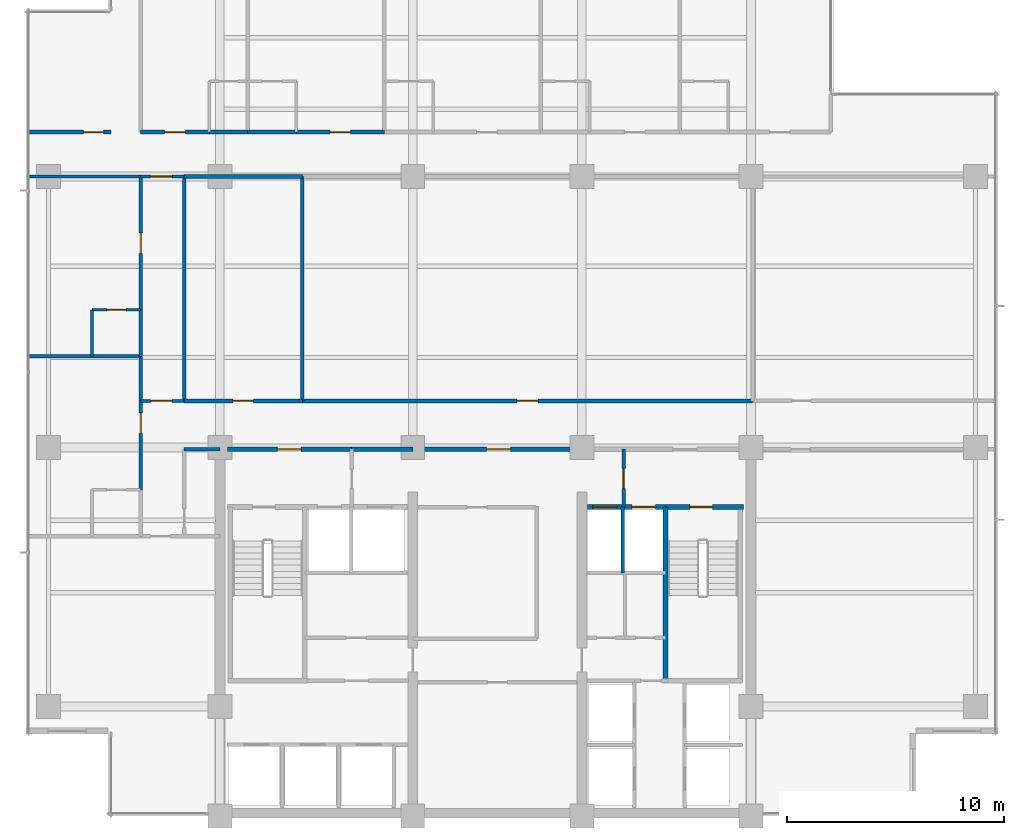
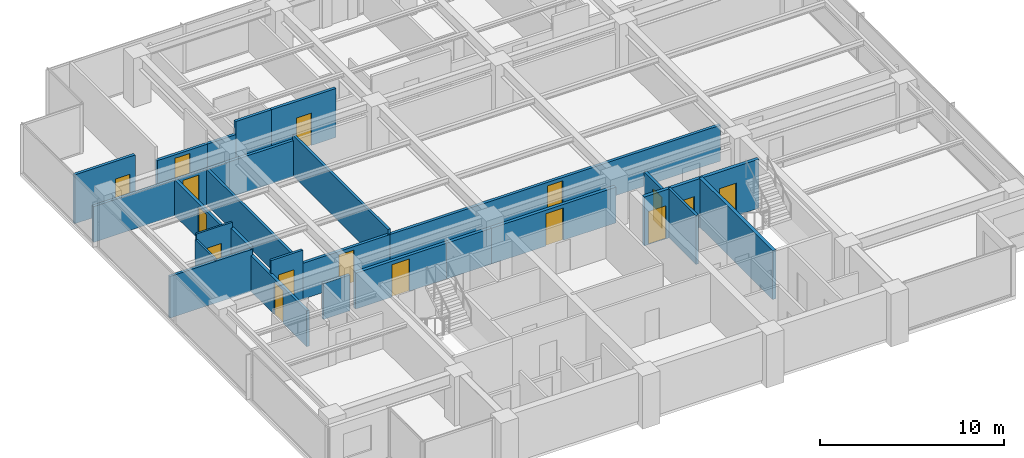
# One storey, part 8 of 15: 27 walls, 16 doors, 16 openings.
"""IFC4 building model written with IfcOpenShell, lengths in metres."""

from ifc_helpers import new_model, si_unit, direction, frame, frame_2d, origin, place, context, subcontext, project, spatial, rectangle, extrude, material, layer, layer_set, type_object, element, fill, save


model = new_model("IFC4")

# Units and contexts
model_context = context("Model", 3, precision=1e-05, world=origin(), true_north=direction((0.0, 1.0)))
body_context = subcontext(model_context, "Body", "Model", "MODEL_VIEW")
ifc_project = project(units=[si_unit("LENGTHUNIT", "METRE"), si_unit("AREAUNIT", "SQUARE_METRE"), si_unit("VOLUMEUNIT", "CUBIC_METRE"), si_unit("PLANEANGLEUNIT", "RADIAN"), si_unit("MASSUNIT", "GRAM", prefix="KILO")], contexts=[model_context])

# Site, building, storey
site_placement = place(None, origin())
site = spatial("IfcSite", under=ifc_project, at=site_placement, CompositionType="ELEMENT")
building_placement = place(site_placement, origin())
building = spatial("IfcBuilding", under=site, at=building_placement, Name="Qalmaran Belvedere Hotel", CompositionType="ELEMENT")
storey_placement = place(building_placement, frame((0.0, 0.0, 170.10009765625)))
storey = spatial("IfcBuildingStorey", under=building, at=storey_placement, Name="L43", CompositionType="ELEMENT", Elevation=170.10009765625)

# Wall, opening, door
ifc_material_1 = material(Name="Moisture-Resistant Gypsum")
ifc_layer_1 = layer(ifc_material_1, 0.1201171875, Name="Moisture-Resistant Gypsum")
ifc_layer_set_1 = layer_set([ifc_layer_1], Name="Moisture-Resistant Gypsum")
wall_type_1 = type_object("IfcWallType", Name="WL-INT-120-BATH", PredefinedType="PARTITIONING", material=ifc_layer_set_1)
wall_1_placement = place(storey_placement, frame((14.39990234375, 26.85009765625, 0.0), z_axis=(0.0, 0.0, 1.0), x_axis=(1.0, 0.0, 0.0)))
wall_1 = element("IfcWall", 1, at=wall_1_placement, inside=storey, type_object=wall_type_1, Name="L43 Partition WL-L43-WBN01", PredefinedType="PARTITIONING", context=body_context, shape_type="SweptSolid", body=[
    extrude(rectangle(XDim=2.25, YDim=0.1201171875, at=frame_2d((1.125, 0.0))), origin(), (0.0, 0.0, 1.0), 3.25),
])
opening_1_placement = place(wall_1_placement, frame((1.56494140625, 0.0, 0.0), z_axis=(0.0, 0.0, 1.0), x_axis=(-1.0, 0.0, 0.0)))
opening_1 = element("IfcOpeningElement", 2, at=opening_1_placement, cuts=wall_1, Name="Opening D-BATH", PredefinedType="OPENING", context=body_context, shape_type="SweptSolid", body=[
    extrude(rectangle(XDim=0.8798828125, YDim=2.080078125, at=frame_2d((0.43994140625, 1.0400390625))), frame((0.0, 0.070068359375, 0.0), z_axis=(0.0, -1.0, 0.0), x_axis=(1.0, 0.0, 0.0)), (0.0, 0.0, 1.0), 0.14013671875),
])
ifc_material_2 = material(Name="Engineered Oak Veneer")
door_type_1 = type_object("IfcDoorType", Name="DR-INT-BATH-880X2080", OperationType="NOTDEFINED", PredefinedType="DOOR", material=ifc_material_2)
door_1_placement = place(opening_1_placement, origin())
door_1 = element("IfcDoor", 3, at=door_1_placement, inside=storey, type_object=door_type_1, Name="L43 W Ensuite Door 02", OperationType="SINGLE_SWING_RIGHT", OverallHeight=2.080078125, OverallWidth=0.8798828125, PredefinedType="DOOR", context=body_context, shape_type="SweptSolid", body=[
    extrude(rectangle(XDim=0.8798828125, YDim=2.080078125, at=frame_2d((0.43994140625, 1.0400390625))), frame((0.0, 0.02490234375, 0.0), z_axis=(0.0, -1.0, 0.0), x_axis=(1.0, 0.0, 0.0)), (0.0, 0.0, 1.0), 0.050048828125),
])
fill(opening_1, door_1)

# Walls
wall_2_placement = place(storey_placement, frame((14.39990234375, 24.699951171875, 0.0), z_axis=(0.0, 0.0, 1.0), x_axis=(0.0, 1.0, 0.0)))
element("IfcWall", 4, at=wall_2_placement, inside=storey, type_object=wall_type_1, Name="L43 Partition WL-L43-WBS01", PredefinedType="PARTITIONING", context=body_context, shape_type="SweptSolid", body=[
    extrude(rectangle(XDim=2.150146484375, YDim=0.1201171875, at=frame_2d((1.0751953125, 0.0))), origin(), (0.0, 0.0, 1.0), 2.880859375),
])
ifc_material_3 = material(Name="Gypsum Stud Partition")
ifc_layer_2 = layer(ifc_material_3, 0.14990234375, Name="Gypsum Stud Partition")
ifc_layer_set_2 = layer_set([ifc_layer_2], Name="Gypsum Stud Partition")
wall_type_2 = type_object("IfcWallType", Name="WL-INT-150-EI120", PredefinedType="PARTITIONING", material=ifc_layer_set_2)
wall_3_placement = place(storey_placement, frame((38.8798828125, 14.719970703125, 0.0), z_axis=(0.0, 0.0, 1.0), x_axis=(0.0, 1.0, 0.0)))
element("IfcWall", 5, at=wall_3_placement, inside=storey, type_object=wall_type_2, Name="L43 Partition WL-FF2M-L43", PredefinedType="PARTITIONING", context=body_context, shape_type="SweptSolid", body=[
    extrude(rectangle(XDim=3.0400390625, YDim=0.14990234375, at=frame_2d((1.52001953125, 0.0))), origin(), (0.0, 0.0, 1.0), 3.25),
])

# Wall, opening, door
ifc_layer_3 = layer(ifc_material_3, 0.14990234375, Name="Gypsum Stud Partition")
ifc_layer_set_3 = layer_set([ifc_layer_3], Name="Gypsum Stud Partition")
wall_type_3 = type_object("IfcWallType", Name="WL-INT-150-EI60", PredefinedType="PARTITIONING", material=ifc_layer_set_3)
wall_4_placement = place(storey_placement, frame((16.64990234375, 22.64990234375, 0.0), z_axis=(0.0, 0.0, 1.0), x_axis=(1.0, 0.0, 0.0)))
wall_4 = element("IfcWall", 6, at=wall_4_placement, inside=storey, type_object=wall_type_3, Name="L43 Partition WL-L43-XCW1", PredefinedType="PARTITIONING", context=body_context, shape_type="SweptSolid", body=[
    extrude(rectangle(XDim=2.0, YDim=0.14990234375, at=frame_2d((1.0, 0.0))), origin(), (0.0, 0.0, 1.0), 3.25),
])
opening_2_placement = place(wall_4_placement, frame((0.449951171875, 0.0, 0.0)))
opening_2 = element("IfcOpeningElement", 7, at=opening_2_placement, cuts=wall_4, Name="Opening FD90B", PredefinedType="OPENING", context=body_context, shape_type="SweptSolid", body=[
    extrude(rectangle(XDim=1.0, YDim=2.14990234375, at=frame_2d((0.5, 1.074951171875))), frame((0.0, 0.0849609375, 0.0), z_axis=(0.0, -1.0, 0.0), x_axis=(1.0, 0.0, 0.0)), (0.0, 0.0, 1.0), 0.169921875),
])
ifc_material_4 = material(Name="Steel S355JR", Category="steel")
door_type_2 = type_object("IfcDoorType", Name="DR-FD90B-1000X2150", OperationType="NOTDEFINED", PredefinedType="DOOR", material=ifc_material_4)
door_2_placement = place(opening_2_placement, origin())
door_2 = element("IfcDoor", 8, at=door_2_placement, inside=storey, type_object=door_type_2, Name="L43 West Corridor Smoke Door S", OperationType="SINGLE_SWING_RIGHT", OverallHeight=2.14990234375, OverallWidth=1.0, PredefinedType="DOOR", context=body_context, shape_type="SweptSolid", body=[
    extrude(rectangle(XDim=1.0, YDim=2.14990234375, at=frame_2d((0.5, 1.074951171875))), frame((0.0, 0.02490234375, 0.0), z_axis=(0.0, -1.0, 0.0), x_axis=(1.0, 0.0, 0.0)), (0.0, 0.0, 1.0), 0.050048828125),
])
fill(opening_2, door_2)

wall_5_placement = place(storey_placement, frame((16.64990234375, 33.0, 0.0), z_axis=(0.0, 0.0, 1.0), x_axis=(1.0, 0.0, 0.0)))
wall_5 = element("IfcWall", 9, at=wall_5_placement, inside=storey, type_object=wall_type_3, Name="L43 Partition WL-L43-XCW2", PredefinedType="PARTITIONING", context=body_context, shape_type="SweptSolid", body=[
    extrude(rectangle(XDim=2.0, YDim=0.14990234375, at=frame_2d((1.0, 0.0))), origin(), (0.0, 0.0, 1.0), 2.3798828125),
])
opening_3_placement = place(wall_5_placement, frame((0.449951171875, 0.0, 0.0)))
opening_3 = element("IfcOpeningElement", 10, at=opening_3_placement, cuts=wall_5, Name="Opening FD90B", PredefinedType="OPENING", context=body_context, shape_type="SweptSolid", body=[
    extrude(rectangle(XDim=1.0, YDim=2.14990234375, at=frame_2d((0.5, 1.074951171875))), frame((0.0, 0.0849609375, 0.0), z_axis=(0.0, -1.0, 0.0), x_axis=(1.0, 0.0, 0.0)), (0.0, 0.0, 1.0), 0.169921875),
])
door_3_placement = place(opening_3_placement, origin())
door_3 = element("IfcDoor", 11, at=door_3_placement, inside=storey, type_object=door_type_2, Name="L43 West Corridor Smoke Door N", OperationType="SINGLE_SWING_LEFT", OverallHeight=2.14990234375, OverallWidth=1.0, PredefinedType="DOOR", context=body_context, shape_type="SweptSolid", body=[
    extrude(rectangle(XDim=1.0, YDim=2.14990234375, at=frame_2d((0.5, 1.074951171875))), frame((0.0, 0.02490234375, 0.0), z_axis=(0.0, -1.0, 0.0), x_axis=(1.0, 0.0, 0.0)), (0.0, 0.0, 1.0), 0.050048828125),
])
fill(opening_3, door_3)

ifc_layer_4 = layer(ifc_material_3, 0.159912109375, Name="Gypsum Stud Partition")
ifc_layer_set_4 = layer_set([ifc_layer_4], Name="Gypsum Stud Partition")
wall_type_4 = type_object("IfcWallType", Name="WL-INT-160-EI120", PredefinedType="PARTITIONING", material=ifc_layer_set_4)
wall_6_placement = place(storey_placement, frame((38.919921875, 17.760009765625, 0.0), z_axis=(0.0, 0.0, 1.0), x_axis=(0.0, 1.0, 0.0)))
wall_6 = element("IfcWall", 12, at=wall_6_placement, inside=storey, type_object=wall_type_4, Name="L43 Partition WL-FFSV2-L43", PredefinedType="PARTITIONING", context=body_context, shape_type="SweptSolid", body=[
    extrude(rectangle(XDim=2.659912109375, YDim=0.159912109375, at=frame_2d((1.330078125, 0.0))), origin(), (0.0, 0.0, 1.0), 2.69189453125),
])
opening_4_placement = place(wall_6_placement, frame((1.77001953125, 0.0, 0.0), z_axis=(0.0, 0.0, 1.0), x_axis=(-1.0, 0.0, 0.0)))
opening_4 = element("IfcOpeningElement", 13, at=opening_4_placement, cuts=wall_6, Name="Opening FD60S1", PredefinedType="OPENING", context=body_context, shape_type="SweptSolid", body=[
    extrude(rectangle(XDim=0.919921875, YDim=2.080078125, at=frame_2d((0.4599609375, 1.0400390625))), frame((0.0, 0.08984375, 0.0), z_axis=(0.0, -1.0, 0.0), x_axis=(1.0, 0.0, 0.0)), (0.0, 0.0, 1.0), 0.179931640625),
])
door_type_3 = type_object("IfcDoorType", Name="DR-FD60S-920X2080", OperationType="NOTDEFINED", PredefinedType="DOOR", material=ifc_material_2)
door_4_placement = place(opening_4_placement, origin())
door_4 = element("IfcDoor", 14, at=door_4_placement, inside=storey, type_object=door_type_3, Name="L43 Service Lobby East Door", OperationType="SINGLE_SWING_LEFT", OverallHeight=2.080078125, OverallWidth=0.919921875, PredefinedType="DOOR", context=body_context, shape_type="SweptSolid", body=[
    extrude(rectangle(XDim=0.919921875, YDim=2.080078125, at=frame_2d((0.4599609375, 1.0400390625))), frame((0.0, 0.02490234375, 0.0), z_axis=(0.0, -1.0, 0.0), x_axis=(1.0, 0.0, 0.0)), (0.0, 0.0, 1.0), 0.050048828125),
])
fill(opening_4, door_4)

# Walls
ifc_layer_5 = layer(ifc_material_3, 0.159912109375, Name="Gypsum Stud Partition")
ifc_layer_set_5 = layer_set([ifc_layer_5], Name="Gypsum Stud Partition")
wall_type_5 = type_object("IfcWallType", Name="WL-INT-160-EI60", PredefinedType="PARTITIONING", material=ifc_layer_set_5)
wall_7_placement = place(storey_placement, frame((18.64990234375, 20.419921875, 0.0), z_axis=(0.0, 0.0, 1.0), x_axis=(1.0, 0.0, 0.0)))
element("IfcWall", 15, at=wall_7_placement, inside=storey, type_object=wall_type_5, Name="L43 Partition WL-L43-WCLN", PredefinedType="PARTITIONING", context=body_context, shape_type="SweptSolid", body=[
    extrude(rectangle(XDim=1.650146484375, YDim=0.159912109375, at=frame_2d((0.8251953125, 0.0))), origin(), (0.0, 0.0, 1.0), 2.3798828125),
])
wall_8_placement = place(storey_placement, frame((18.64990234375, 22.64990234375, 0.0), z_axis=(0.0, 0.0, 1.0), x_axis=(0.0, 1.0, 0.0)))
element("IfcWall", 16, at=wall_8_placement, inside=storey, type_object=wall_type_5, Name="L43 Partition WL-L43-MIDVL", PredefinedType="PARTITIONING", context=body_context, shape_type="SweptSolid", body=[
    extrude(rectangle(XDim=10.35009765625, YDim=0.159912109375, at=frame_2d((5.175048828125, 0.0))), origin(), (0.0, 0.0, 1.0), 2.3798828125),
])
wall_9_placement = place(storey_placement, frame((24.10009765625, 22.64990234375, 0.0), z_axis=(0.0, 0.0, 1.0), x_axis=(0.0, 1.0, 0.0)))
element("IfcWall", 17, at=wall_9_placement, inside=storey, type_object=wall_type_5, Name="L43 Partition WL-L43-MIDVR1", PredefinedType="PARTITIONING", context=body_context, shape_type="SweptSolid", body=[
    extrude(rectangle(XDim=10.35009765625, YDim=0.159912109375, at=frame_2d((5.175048828125, 0.0))), origin(), (0.0, 0.0, 1.0), 2.69189453125),
])
wall_10_placement = place(storey_placement, frame((11.469970703125, 24.699951171875, 0.0), z_axis=(0.0, 0.0, 1.0), x_axis=(1.0, 0.0, 0.0)))
element("IfcWall", 18, at=wall_10_placement, inside=storey, type_object=wall_type_5, Name="L43 Partition WL-L43-WU00", PredefinedType="PARTITIONING", context=body_context, shape_type="SweptSolid", body=[
    extrude(rectangle(XDim=5.179931640625, YDim=0.159912109375, at=frame_2d((2.58984375, 0.0))), origin(), (0.0, 0.0, 1.0), 2.77197265625),
])
wall_11_placement = place(storey_placement, frame((11.469970703125, 33.0, 0.0), z_axis=(0.0, 0.0, 1.0), x_axis=(1.0, 0.0, 0.0)))
element("IfcWall", 19, at=wall_11_placement, inside=storey, type_object=wall_type_5, Name="L43 Partition WL-L43-WU01", PredefinedType="PARTITIONING", context=body_context, shape_type="SweptSolid", body=[
    extrude(rectangle(XDim=5.179931640625, YDim=0.159912109375, at=frame_2d((2.58984375, 0.0))), origin(), (0.0, 0.0, 1.0), 2.3798828125),
])

# Wall, opening, door
ifc_layer_6 = layer(ifc_material_3, 0.179931640625, Name="Gypsum Stud Partition")
ifc_layer_set_6 = layer_set([ifc_layer_6], Name="Gypsum Stud Partition")
wall_type_6 = type_object("IfcWallType", Name="WL-INT-180-EI60", PredefinedType="PARTITIONING", material=ifc_layer_set_6)
wall_12_placement = place(storey_placement, frame((18.64990234375, 22.64990234375, 0.0), z_axis=(0.0, 0.0, 1.0), x_axis=(1.0, 0.0, 0.0)))
wall_12 = element("IfcWall", 20, at=wall_12_placement, inside=storey, type_object=wall_type_6, Name="L43 Partition WL-L43-MIDD1", PredefinedType="PARTITIONING", context=body_context, shape_type="SweptSolid", body=[
    extrude(rectangle(XDim=5.4501953125, YDim=0.179931640625, at=frame_2d((2.72509765625, 0.0))), origin(), (0.0, 0.0, 1.0), 2.3798828125),
])
opening_5_placement = place(wall_12_placement, frame((2.25, 0.0, 0.0)))
opening_5 = element("IfcOpeningElement", 21, at=opening_5_placement, cuts=wall_12, Name="Opening FD60", PredefinedType="OPENING", context=body_context, shape_type="SweptSolid", body=[
    extrude(rectangle(XDim=0.949951171875, YDim=2.14990234375, at=frame_2d((0.47509765625, 1.074951171875))), frame((0.0, 0.10009765625, 0.0), z_axis=(0.0, -1.0, 0.0), x_axis=(1.0, 0.0, 0.0)), (0.0, 0.0, 1.0), 0.199951171875),
])
door_type_4 = type_object("IfcDoorType", Name="DR-FD60-950X2150", OperationType="NOTDEFINED", PredefinedType="DOOR", material=ifc_material_2)
door_5_placement = place(opening_5_placement, origin())
door_5 = element("IfcDoor", 22, at=door_5_placement, inside=storey, type_object=door_type_4, Name="L43 Housekeeping and Linen Room Door", OperationType="SINGLE_SWING_RIGHT", OverallHeight=2.14990234375, OverallWidth=0.949951171875, PredefinedType="DOOR", context=body_context, shape_type="SweptSolid", body=[
    extrude(rectangle(XDim=0.949951171875, YDim=2.14990234375, at=frame_2d((0.47509765625, 1.074951171875))), frame((0.0, 0.02490234375, 0.0), z_axis=(0.0, -1.0, 0.0), x_axis=(1.0, 0.0, 0.0)), (0.0, 0.0, 1.0), 0.050048828125),
])
fill(opening_5, door_5)

# Wall
wall_13_placement = place(storey_placement, frame((18.64990234375, 33.0, 0.0), z_axis=(0.0, 0.0, 1.0), x_axis=(1.0, 0.0, 0.0)))
element("IfcWall", 23, at=wall_13_placement, inside=storey, type_object=wall_type_6, Name="L43 Partition WL-L43-MIDO1", PredefinedType="PARTITIONING", context=body_context, shape_type="SweptSolid", body=[
    extrude(rectangle(XDim=5.4501953125, YDim=0.179931640625, at=frame_2d((2.72509765625, 0.0))), origin(), (0.0, 0.0, 1.0), 2.3798828125),
])

# Wall, opening, door
wall_14_placement = place(storey_placement, frame((24.10009765625, 22.64990234375, 0.0), z_axis=(0.0, 0.0, 1.0), x_axis=(1.0, 0.0, 0.0)))
wall_14 = element("IfcWall", 24, at=wall_14_placement, inside=storey, type_object=wall_type_6, Name="L43 Partition WL-L43-MIDD2", PredefinedType="PARTITIONING", context=body_context, shape_type="SweptSolid", body=[
    extrude(rectangle(XDim=20.77978515625, YDim=0.179931640625, at=frame_2d((10.389892578125, 0.0))), origin(), (0.0, 0.0, 1.0), 2.3798828125),
])
opening_6_placement = place(wall_14_placement, frame((9.9150390625, 0.0, 0.0)))
opening_6 = element("IfcOpeningElement", 25, at=opening_6_placement, cuts=wall_14, Name="Opening FD60", PredefinedType="OPENING", context=body_context, shape_type="SweptSolid", body=[
    extrude(rectangle(XDim=0.949951171875, YDim=2.14990234375, at=frame_2d((0.47509765625, 1.074951171875))), frame((0.0, 0.10009765625, 0.0), z_axis=(0.0, -1.0, 0.0), x_axis=(1.0, 0.0, 0.0)), (0.0, 0.0, 1.0), 0.199951171875),
])
door_6_placement = place(opening_6_placement, origin())
door_6 = element("IfcDoor", 26, at=door_6_placement, inside=storey, type_object=door_type_4, Name="L43 Diplomatic Lounge Door", OperationType="SINGLE_SWING_LEFT", OverallHeight=2.14990234375, OverallWidth=0.949951171875, PredefinedType="DOOR", context=body_context, shape_type="SweptSolid", body=[
    extrude(rectangle(XDim=0.949951171875, YDim=2.14990234375, at=frame_2d((0.47509765625, 1.074951171875))), frame((0.0, 0.02490234375, 0.0), z_axis=(0.0, -1.0, 0.0), x_axis=(1.0, 0.0, 0.0)), (0.0, 0.0, 1.0), 0.050048828125),
])
fill(opening_6, door_6)

# Wall
wall_15_placement = place(storey_placement, frame((19.809814453125, 35.050048828125, 0.0), z_axis=(0.0, 0.0, 1.0), x_axis=(1.0, 0.0, 0.0)))
element("IfcWall", 27, at=wall_15_placement, inside=storey, type_object=wall_type_6, Name="L43 Partition WL-L43-NBC00", PredefinedType="PARTITIONING", context=body_context, shape_type="SweptSolid", body=[
    extrude(rectangle(XDim=1.77001953125, YDim=0.179931640625, at=frame_2d((0.885009765625, 0.0))), origin(), (0.0, 0.0, 1.0), 2.3798828125),
])

# Wall, opening, door
wall_16_placement = place(storey_placement, frame((16.64990234375, 35.050048828125, 0.0), z_axis=(0.0, 0.0, 1.0), x_axis=(1.0, 0.0, 0.0)))
wall_16 = element("IfcWall", 28, at=wall_16_placement, inside=storey, type_object=wall_type_6, Name="L43 Partition WL-L43-NEC00", PredefinedType="PARTITIONING", context=body_context, shape_type="SweptSolid", body=[
    extrude(rectangle(XDim=3.159912109375, YDim=0.179931640625, at=frame_2d((1.580078125, 0.0))), origin(), (0.0, 0.0, 1.0), 2.3798828125),
])
opening_7_placement = place(wall_16_placement, frame((1.10498046875, 0.0, 0.0)))
opening_7 = element("IfcOpeningElement", 29, at=opening_7_placement, cuts=wall_16, Name="Opening FD60", PredefinedType="OPENING", context=body_context, shape_type="SweptSolid", body=[
    extrude(rectangle(XDim=0.949951171875, YDim=2.14990234375, at=frame_2d((0.47509765625, 1.074951171875))), frame((0.0, 0.10009765625, 0.0), z_axis=(0.0, -1.0, 0.0), x_axis=(1.0, 0.0, 0.0)), (0.0, 0.0, 1.0), 0.199951171875),
])
door_7_placement = place(opening_7_placement, origin())
door_7 = element("IfcDoor", 30, at=door_7_placement, inside=storey, type_object=door_type_4, Name="L43 Guest Entrance Door N01", OperationType="SINGLE_SWING_LEFT", OverallHeight=2.14990234375, OverallWidth=0.949951171875, PredefinedType="DOOR", context=body_context, shape_type="SweptSolid", body=[
    extrude(rectangle(XDim=0.949951171875, YDim=2.14990234375, at=frame_2d((0.47509765625, 1.074951171875))), frame((0.0, 0.02490234375, 0.0), z_axis=(0.0, -1.0, 0.0), x_axis=(1.0, 0.0, 0.0)), (0.0, 0.0, 1.0), 0.050048828125),
])
fill(opening_7, door_7)

# Wall
wall_17_placement = place(storey_placement, frame((21.579833984375, 35.050048828125, 0.0), z_axis=(0.0, 0.0, 1.0), x_axis=(1.0, 0.0, 0.0)))
element("IfcWall", 31, at=wall_17_placement, inside=storey, type_object=wall_type_6, Name="L43 Partition WL-L43-NBC01", PredefinedType="PARTITIONING", context=body_context, shape_type="SweptSolid", body=[
    extrude(rectangle(XDim=2.25, YDim=0.179931640625, at=frame_2d((1.125, 0.0))), origin(), (0.0, 0.0, 1.0), 3.25),
])

# Wall, opening, door
wall_18_placement = place(storey_placement, frame((23.829833984375, 35.050048828125, 0.0), z_axis=(0.0, 0.0, 1.0), x_axis=(1.0, 0.0, 0.0)))
wall_18 = element("IfcWall", 32, at=wall_18_placement, inside=storey, type_object=wall_type_6, Name="L43 Partition WL-L43-NEC01", PredefinedType="PARTITIONING", context=body_context, shape_type="SweptSolid", body=[
    extrude(rectangle(XDim=4.06005859375, YDim=0.179931640625, at=frame_2d((2.030029296875, 0.0))), origin(), (0.0, 0.0, 1.0), 3.25),
])
opening_8_placement = place(wall_18_placement, frame((1.554931640625, 0.0, 0.0)))
opening_8 = element("IfcOpeningElement", 33, at=opening_8_placement, cuts=wall_18, Name="Opening FD60", PredefinedType="OPENING", context=body_context, shape_type="SweptSolid", body=[
    extrude(rectangle(XDim=0.949951171875, YDim=2.14990234375, at=frame_2d((0.47509765625, 1.074951171875))), frame((0.0, 0.10009765625, 0.0), z_axis=(0.0, -1.0, 0.0), x_axis=(1.0, 0.0, 0.0)), (0.0, 0.0, 1.0), 0.199951171875),
])
door_8_placement = place(opening_8_placement, origin())
door_8 = element("IfcDoor", 34, at=door_8_placement, inside=storey, type_object=door_type_4, Name="L43 Guest Entrance Door N02", OperationType="SINGLE_SWING_LEFT", OverallHeight=2.14990234375, OverallWidth=0.949951171875, PredefinedType="DOOR", context=body_context, shape_type="SweptSolid", body=[
    extrude(rectangle(XDim=0.949951171875, YDim=2.14990234375, at=frame_2d((0.47509765625, 1.074951171875))), frame((0.0, 0.02490234375, 0.0), z_axis=(0.0, -1.0, 0.0), x_axis=(1.0, 0.0, 0.0)), (0.0, 0.0, 1.0), 0.050048828125),
])
fill(opening_8, door_8)

wall_19_placement = place(storey_placement, frame((16.64990234375, 18.550048828125, 0.0), z_axis=(0.0, 0.0, 1.0), x_axis=(0.0, 1.0, 0.0)))
wall_19 = element("IfcWall", 35, at=wall_19_placement, inside=storey, type_object=wall_type_6, Name="L43 Partition WL-L43-WEC00", PredefinedType="PARTITIONING", context=body_context, shape_type="SweptSolid", body=[
    extrude(rectangle(XDim=6.14990234375, YDim=0.179931640625, at=frame_2d((3.074951171875, 0.0))), origin(), (0.0, 0.0, 1.0), 2.3798828125),
])
opening_9_placement = place(wall_19_placement, frame((2.60009765625, 0.0, 0.0)))
opening_9 = element("IfcOpeningElement", 36, at=opening_9_placement, cuts=wall_19, Name="Opening FD60", PredefinedType="OPENING", context=body_context, shape_type="SweptSolid", body=[
    extrude(rectangle(XDim=0.949951171875, YDim=2.14990234375, at=frame_2d((0.47509765625, 1.074951171875))), frame((0.0, 0.10009765625, 0.0), z_axis=(0.0, -1.0, 0.0), x_axis=(1.0, 0.0, 0.0)), (0.0, 0.0, 1.0), 0.199951171875),
])
door_9_placement = place(opening_9_placement, origin())
door_9 = element("IfcDoor", 37, at=door_9_placement, inside=storey, type_object=door_type_4, Name="L43 W Wing Door 01", OperationType="SINGLE_SWING_LEFT", OverallHeight=2.14990234375, OverallWidth=0.949951171875, PredefinedType="DOOR", context=body_context, shape_type="SweptSolid", body=[
    extrude(rectangle(XDim=0.949951171875, YDim=2.14990234375, at=frame_2d((0.47509765625, 1.074951171875))), frame((0.0, 0.02490234375, 0.0), z_axis=(0.0, -1.0, 0.0), x_axis=(1.0, 0.0, 0.0)), (0.0, 0.0, 1.0), 0.050048828125),
])
fill(opening_9, door_9)

# Wall
wall_20_placement = place(storey_placement, frame((16.64990234375, 24.699951171875, 0.0), z_axis=(0.0, 0.0, 1.0), x_axis=(0.0, 1.0, 0.0)))
element("IfcWall", 38, at=wall_20_placement, inside=storey, type_object=wall_type_6, Name="L43 Partition WL-L43-WBC01", PredefinedType="PARTITIONING", context=body_context, shape_type="SweptSolid", body=[
    extrude(rectangle(XDim=2.150146484375, YDim=0.179931640625, at=frame_2d((1.0751953125, 0.0))), origin(), (0.0, 0.0, 1.0), 2.880859375),
])

# Wall, opening, door
wall_21_placement = place(storey_placement, frame((16.64990234375, 26.85009765625, 0.0), z_axis=(0.0, 0.0, 1.0), x_axis=(0.0, 1.0, 0.0)))
wall_21 = element("IfcWall", 39, at=wall_21_placement, inside=storey, type_object=wall_type_6, Name="L43 Partition WL-L43-WEC01", PredefinedType="PARTITIONING", context=body_context, shape_type="SweptSolid", body=[
    extrude(rectangle(XDim=6.14990234375, YDim=0.179931640625, at=frame_2d((3.074951171875, 0.0))), origin(), (0.0, 0.0, 1.0), 2.3798828125),
])
opening_10_placement = place(wall_21_placement, frame((2.60009765625, 0.0, 0.0)))
opening_10 = element("IfcOpeningElement", 40, at=opening_10_placement, cuts=wall_21, Name="Opening FD60", PredefinedType="OPENING", context=body_context, shape_type="SweptSolid", body=[
    extrude(rectangle(XDim=0.949951171875, YDim=2.14990234375, at=frame_2d((0.47509765625, 1.074951171875))), frame((0.0, 0.10009765625, 0.0), z_axis=(0.0, -1.0, 0.0), x_axis=(1.0, 0.0, 0.0)), (0.0, 0.0, 1.0), 0.199951171875),
])
door_10_placement = place(opening_10_placement, origin())
door_10 = element("IfcDoor", 41, at=door_10_placement, inside=storey, type_object=door_type_4, Name="L43 W Wing Door 02", OperationType="SINGLE_SWING_LEFT", OverallHeight=2.14990234375, OverallWidth=0.949951171875, PredefinedType="DOOR", context=body_context, shape_type="SweptSolid", body=[
    extrude(rectangle(XDim=0.949951171875, YDim=2.14990234375, at=frame_2d((0.47509765625, 1.074951171875))), frame((0.0, 0.02490234375, 0.0), z_axis=(0.0, -1.0, 0.0), x_axis=(1.0, 0.0, 0.0)), (0.0, 0.0, 1.0), 0.050048828125),
])
fill(opening_10, door_10)

wall_22_placement = place(storey_placement, frame((11.469970703125, 35.050048828125, 0.0), z_axis=(0.0, 0.0, 1.0), x_axis=(1.0, 0.0, 0.0)))
wall_22 = element("IfcWall", 42, at=wall_22_placement, inside=storey, type_object=wall_type_6, Name="L43 Partition WL-L43-NWSD", PredefinedType="PARTITIONING", context=body_context, shape_type="SweptSolid", body=[
    extrude(rectangle(XDim=3.800048828125, YDim=0.179931640625, at=frame_2d((1.89990234375, 0.0))), origin(), (0.0, 0.0, 1.0), 3.25),
])
opening_11_placement = place(wall_22_placement, frame((2.543701171875, 0.0, 0.0)))
opening_11 = element("IfcOpeningElement", 43, at=opening_11_placement, cuts=wall_22, Name="Opening FD60S1", PredefinedType="OPENING", context=body_context, shape_type="SweptSolid", body=[
    extrude(rectangle(XDim=0.919921875, YDim=2.080078125, at=frame_2d((0.4599609375, 1.0400390625))), frame((0.0, 0.10009765625, 0.0), z_axis=(0.0, -1.0, 0.0), x_axis=(1.0, 0.0, 0.0)), (0.0, 0.0, 1.0), 0.199951171875),
])
door_11_placement = place(opening_11_placement, origin())
door_11 = element("IfcDoor", 44, at=door_11_placement, inside=storey, type_object=door_type_3, Name="L43 NW Belvedere Study Door", OperationType="SINGLE_SWING_RIGHT", OverallHeight=2.080078125, OverallWidth=0.919921875, PredefinedType="DOOR", context=body_context, shape_type="SweptSolid", body=[
    extrude(rectangle(XDim=0.919921875, YDim=2.080078125, at=frame_2d((0.4599609375, 1.0400390625))), frame((0.0, 0.02490234375, 0.0), z_axis=(0.0, -1.0, 0.0), x_axis=(1.0, 0.0, 0.0)), (0.0, 0.0, 1.0), 0.050048828125),
])
fill(opening_11, door_11)

ifc_material_5 = material(Name="Concrete C30/37 Blockwork", Category="masonry")
ifc_layer_7 = layer(ifc_material_5, 0.199951171875, Name="Concrete C30/37 Blockwork")
ifc_layer_set_7 = layer_set([ifc_layer_7], Name="Concrete C30/37 Blockwork")
wall_type_7 = type_object("IfcWallType", Name="WL-INT-200-EI120", PredefinedType="PARTITIONING", material=ifc_layer_set_7)
wall_23_placement = place(storey_placement, frame((20.64990234375, 20.419921875, 0.0), z_axis=(0.0, 0.0, 1.0), x_axis=(1.0, 0.0, 0.0)))
wall_23 = element("IfcWall", 45, at=wall_23_placement, inside=storey, type_object=wall_type_7, Name="L43 Partition WL-CN1A-L43", PredefinedType="PARTITIONING", context=body_context, shape_type="SweptSolid", body=[
    extrude(rectangle(XDim=5.72998046875, YDim=0.199951171875, at=frame_2d((2.864990234375, 0.0))), origin(), (0.0, 0.0, 1.0), 2.3798828125),
])
opening_12_placement = place(wall_23_placement, frame((2.300048828125, 0.0, 0.0)))
opening_12 = element("IfcOpeningElement", 46, at=opening_12_placement, cuts=wall_23, Name="Opening FD90", PredefinedType="OPENING", context=body_context, shape_type="SweptSolid", body=[
    extrude(rectangle(XDim=1.10009765625, YDim=2.14990234375, at=frame_2d((0.550048828125, 1.074951171875))), frame((0.0, 0.10986328125, 0.0), z_axis=(0.0, -1.0, 0.0), x_axis=(1.0, 0.0, 0.0)), (0.0, 0.0, 1.0), 0.219970703125),
])
door_type_5 = type_object("IfcDoorType", Name="DR-FD90-1100X2150", OperationType="NOTDEFINED", PredefinedType="DOOR", material=ifc_material_4)
door_12_placement = place(opening_12_placement, origin())
door_12 = element("IfcDoor", 47, at=door_12_placement, inside=storey, type_object=door_type_5, Name="L43 FF1 Lobby Corridor Door", OperationType="SINGLE_SWING_RIGHT", OverallHeight=2.14990234375, OverallWidth=1.10009765625, PredefinedType="DOOR", context=body_context, shape_type="SweptSolid", body=[
    extrude(rectangle(XDim=1.10009765625, YDim=2.14990234375, at=frame_2d((0.550048828125, 1.074951171875))), frame((0.0, 0.02490234375, 0.0), z_axis=(0.0, -1.0, 0.0), x_axis=(1.0, 0.0, 0.0)), (0.0, 0.0, 1.0), 0.050048828125),
])
fill(opening_12, door_12)

# Wall
wall_24_placement = place(storey_placement, frame((26.3798828125, 20.419921875, 0.0), z_axis=(0.0, 0.0, 1.0), x_axis=(1.0, 0.0, 0.0)))
element("IfcWall", 48, at=wall_24_placement, inside=storey, type_object=wall_type_7, Name="L43 Partition WL-CN1B-L43", PredefinedType="PARTITIONING", context=body_context, shape_type="SweptSolid", body=[
    extrude(rectangle(XDim=2.820068359375, YDim=0.199951171875, at=frame_2d((1.41015625, 0.0))), origin(), (0.0, 0.0, 1.0), 2.3798828125),
])

# Wall, opening, door
wall_25_placement = place(storey_placement, frame((29.199951171875, 20.419921875, 0.0), z_axis=(0.0, 0.0, 1.0), x_axis=(1.0, 0.0, 0.0)))
wall_25 = element("IfcWall", 49, at=wall_25_placement, inside=storey, type_object=wall_type_7, Name="L43 Partition WL-CN2-L43", PredefinedType="PARTITIONING", context=body_context, shape_type="SweptSolid", body=[
    extrude(rectangle(XDim=7.800048828125, YDim=0.199951171875, at=frame_2d((3.89990234375, 0.0))), origin(), (0.0, 0.0, 1.0), 2.3798828125),
])
opening_13_placement = place(wall_25_placement, frame((3.4091796875, 0.0, 0.0)))
opening_13 = element("IfcOpeningElement", 50, at=opening_13_placement, cuts=wall_25, Name="Opening FD90", PredefinedType="OPENING", context=body_context, shape_type="SweptSolid", body=[
    extrude(rectangle(XDim=1.10009765625, YDim=2.14990234375, at=frame_2d((0.550048828125, 1.074951171875))), frame((0.0, 0.10986328125, 0.0), z_axis=(0.0, -1.0, 0.0), x_axis=(1.0, 0.0, 0.0)), (0.0, 0.0, 1.0), 0.219970703125),
])
door_13_placement = place(opening_13_placement, origin())
door_13 = element("IfcDoor", 51, at=door_13_placement, inside=storey, type_object=door_type_5, Name="L43 Central Lift Lobby Door", OperationType="SINGLE_SWING_LEFT", OverallHeight=2.14990234375, OverallWidth=1.10009765625, PredefinedType="DOOR", context=body_context, shape_type="SweptSolid", body=[
    extrude(rectangle(XDim=1.10009765625, YDim=2.14990234375, at=frame_2d((0.550048828125, 1.074951171875))), frame((0.0, 0.02490234375, 0.0), z_axis=(0.0, -1.0, 0.0), x_axis=(1.0, 0.0, 0.0)), (0.0, 0.0, 1.0), 0.050048828125),
])
fill(opening_13, door_13)

# Wall
ifc_material_6 = material(Name="Concrete C50/60", Category="concrete")
ifc_layer_8 = layer(ifc_material_6, 0.2099609375, Name="Concrete C50/60")
ifc_layer_set_8 = layer_set([ifc_layer_8], Name="Concrete C50/60")
wall_type_8 = type_object("IfcWallType", Name="WL-STAIR-210-C50", PredefinedType="SHEAR", material=ifc_layer_set_8)
wall_26_placement = place(storey_placement, frame((40.85498046875, 9.7451171875, 0.0), z_axis=(0.0, 0.0, 1.0), x_axis=(0.0, 1.0, 0.0)))
element("IfcWall", 52, at=wall_26_placement, inside=storey, type_object=wall_type_8, Name="L43 Stair ST-2 West Bearing Wall", PredefinedType="SHEAR", context=body_context, shape_type="SweptSolid", body=[
    extrude(rectangle(XDim=8.009765625, YDim=0.2099609375, at=frame_2d((4.0048828125, 0.0))), origin(), (0.0, 0.0, 1.0), 3.25),
])

# Wall, openings, doors
wall_27_placement = place(storey_placement, frame((37.25, 17.7548828125, 0.0), z_axis=(0.0, 0.0, 1.0), x_axis=(1.0, 0.0, 0.0)))
wall_27 = element("IfcWall", 53, at=wall_27_placement, inside=storey, type_object=wall_type_8, Name="L43 East Lobby and Stair ST-2 North Bearing Wall", PredefinedType="SHEAR", context=body_context, shape_type="SweptSolid", body=[
    extrude(rectangle(XDim=7.199951171875, YDim=0.2099609375, at=frame_2d((3.60009765625, 0.0))), origin(), (0.0, 0.0, 1.0), 3.25),
])
opening_14_placement = place(wall_27_placement, frame((0.25, 0.0, 0.0)))
opening_14 = element("IfcOpeningElement", 54, at=opening_14_placement, cuts=wall_27, Name="Opening LD-SV", PredefinedType="OPENING", context=body_context, shape_type="SweptSolid", body=[
    extrude(rectangle(XDim=1.1201171875, YDim=2.199951171875, at=frame_2d((0.56005859375, 1.10009765625))), frame((0.0, 0.114990234375, 0.0), z_axis=(0.0, -1.0, 0.0), x_axis=(1.0, 0.0, 0.0)), (0.0, 0.0, 1.0), 0.22998046875),
])
opening_15_placement = place(wall_27_placement, frame((2.050048828125, 0.0, 0.0)))
opening_15 = element("IfcOpeningElement", 55, at=opening_15_placement, cuts=wall_27, Name="Opening LD-FF", PredefinedType="OPENING", context=body_context, shape_type="SweptSolid", body=[
    extrude(rectangle(XDim=1.10009765625, YDim=2.179931640625, at=frame_2d((0.550048828125, 1.08984375))), frame((0.0, 0.114990234375, 0.0), z_axis=(0.0, -1.0, 0.0), x_axis=(1.0, 0.0, 0.0)), (0.0, 0.0, 1.0), 0.22998046875),
])
opening_16_placement = place(wall_27_placement, frame((5.780029296875, 0.0, 0.0), z_axis=(0.0, 0.0, 1.0), x_axis=(-1.0, 0.0, 0.0)))
opening_16 = element("IfcOpeningElement", 56, at=opening_16_placement, cuts=wall_27, Name="Opening FD90S2", PredefinedType="OPENING", context=body_context, shape_type="SweptSolid", body=[
    extrude(rectangle(XDim=1.050048828125, YDim=2.14990234375, at=frame_2d((0.52490234375, 1.074951171875))), frame((0.0, 0.114990234375, 0.0), z_axis=(0.0, -1.0, 0.0), x_axis=(1.0, 0.0, 0.0)), (0.0, 0.0, 1.0), 0.22998046875),
])
door_type_6 = type_object("IfcDoorType", Name="DR-FD90S-1050X2150", OperationType="NOTDEFINED", PredefinedType="DOOR", material=ifc_material_4)
door_14_placement = place(opening_16_placement, origin())
door_14 = element("IfcDoor", 57, at=door_14_placement, inside=storey, type_object=door_type_6, Name="L43 Stair ST-2 Door", OperationType="SINGLE_SWING_LEFT", OverallHeight=2.14990234375, OverallWidth=1.050048828125, PredefinedType="DOOR", context=body_context, shape_type="SweptSolid", body=[
    extrude(rectangle(XDim=1.050048828125, YDim=2.14990234375, at=frame_2d((0.52490234375, 1.074951171875))), frame((0.0, 0.02490234375, 0.0), z_axis=(0.0, -1.0, 0.0), x_axis=(1.0, 0.0, 0.0)), (0.0, 0.0, 1.0), 0.050048828125),
])
fill(opening_16, door_14)
ifc_material_7 = material(Name="Stainless Steel 1.4401", Category="steel")
door_type_7 = type_object("IfcDoorType", Name="DR-LIFT-FF-1100X2180", OperationType="DOUBLE_DOOR_SLIDING", PredefinedType="DOOR", material=ifc_material_7)
door_15_placement = place(opening_15_placement, origin())
door_15 = element("IfcDoor", 58, at=door_15_placement, inside=storey, type_object=door_type_7, Name="L43 FF2 Lift Landing Door", OperationType="DOUBLE_DOOR_SLIDING", OverallHeight=2.179931640625, OverallWidth=1.10009765625, PredefinedType="DOOR", context=body_context, shape_type="SweptSolid", body=[
    extrude(rectangle(XDim=1.10009765625, YDim=2.179931640625, at=frame_2d((0.550048828125, 1.08984375))), frame((0.0, 0.02490234375, 0.0), z_axis=(0.0, -1.0, 0.0), x_axis=(1.0, 0.0, 0.0)), (0.0, 0.0, 1.0), 0.050048828125),
])
fill(opening_15, door_15)
door_type_8 = type_object("IfcDoorType", Name="DR-LIFT-SV-1120X2200", OperationType="DOUBLE_DOOR_SLIDING", PredefinedType="DOOR", material=ifc_material_7)
door_16_placement = place(opening_14_placement, origin())
door_16 = element("IfcDoor", 59, at=door_16_placement, inside=storey, type_object=door_type_8, Name="L43 SV2 Lift Landing Door", OperationType="DOUBLE_DOOR_SLIDING", OverallHeight=2.199951171875, OverallWidth=1.1201171875, PredefinedType="DOOR", context=body_context, shape_type="SweptSolid", body=[
    extrude(rectangle(XDim=1.1201171875, YDim=2.199951171875, at=frame_2d((0.56005859375, 1.10009765625))), frame((0.0, 0.02490234375, 0.0), z_axis=(0.0, -1.0, 0.0), x_axis=(1.0, 0.0, 0.0)), (0.0, 0.0, 1.0), 0.050048828125),
])
fill(opening_14, door_16)

save(model, "model.ifc")
